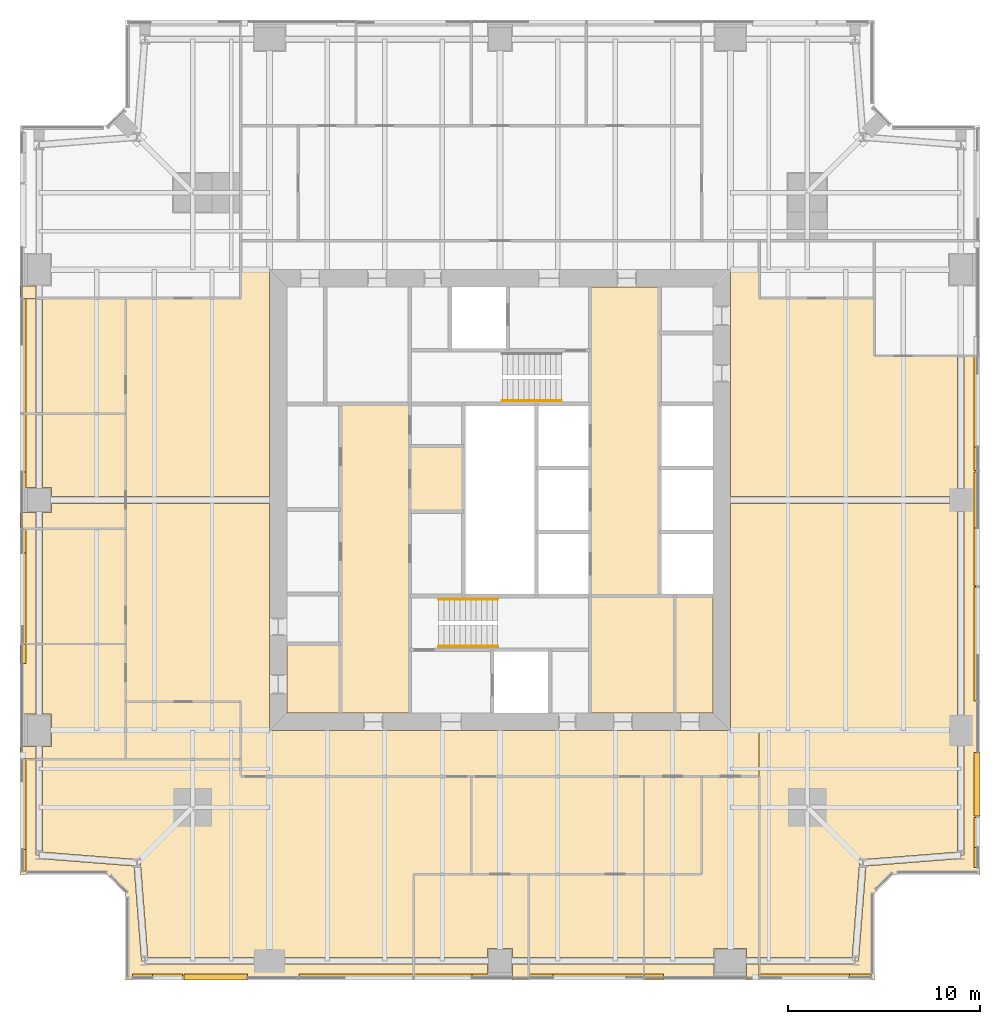
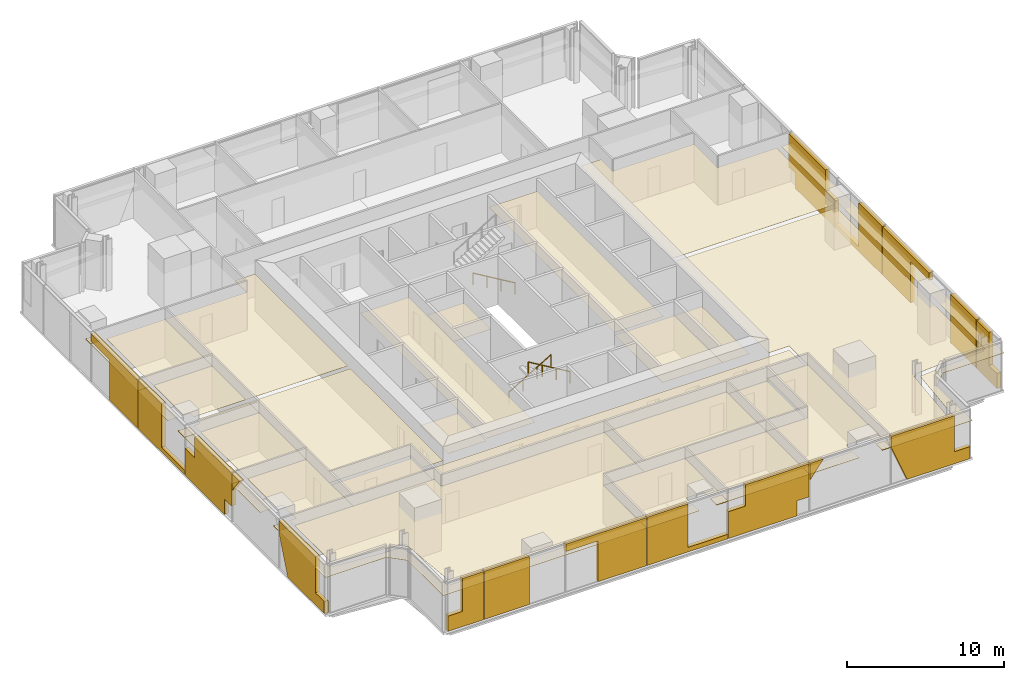
# One storey, part 13 of 14: 54 coverings, 3 railings.
"""IFC4 building model written with IfcOpenShell, lengths in metres."""

from ifc_helpers import new_model, si_unit, direction, frame, origin, origin_2d, place, context, subcontext, project, spatial, polyline, circle, outline, extrude, material, layer, layer_set, type_object, element, save


model = new_model("IFC4")

# Units and contexts
model_context = context("Model", 3, precision=1e-05, world=origin(), true_north=direction((0.0, 1.0)))
body_context = subcontext(model_context, "Body", "Model", "MODEL_VIEW")
ifc_project = project(units=[si_unit("LENGTHUNIT", "METRE"), si_unit("AREAUNIT", "SQUARE_METRE"), si_unit("VOLUMEUNIT", "CUBIC_METRE"), si_unit("PLANEANGLEUNIT", "RADIAN"), si_unit("MASSUNIT", "GRAM", prefix="KILO")], contexts=[model_context])

# Site, building, storey
site_placement = place(None, origin())
site = spatial("IfcSite", under=ifc_project, at=site_placement, CompositionType="ELEMENT")
building_placement = place(site_placement, origin())
building = spatial("IfcBuilding", under=site, at=building_placement, Name="Fenwick Lantern Interchange", CompositionType="ELEMENT")
storey_placement = place(building_placement, frame((0.0, 0.0, 189.800048828125)))
storey = spatial("IfcBuildingStorey", under=building, at=storey_placement, Name="L44", CompositionType="ELEMENT", Elevation=189.800048828125)

# Coverings
ifc_material_1 = material(Name="Mineral fibre acoustic tile on suspended grid")
ifc_layer_1 = layer(ifc_material_1, 0.02001953125)
ifc_layer_set_1 = layer_set([ifc_layer_1], Name="ACOUSTIC TILE CEILING 20")
covering_type_1 = type_object("IfcCoveringType", Name="ACOUSTIC TILE CEILING 20", PredefinedType="CEILING", material=ifc_layer_set_1)
covering_1_placement = place(storey_placement, frame((0.0, 0.0, 2.699951171875)))
element("IfcCovering", 1, at=covering_1_placement, inside=storey, type_object=covering_type_1, Name="Mail room ceiling", PredefinedType="CEILING", context=body_context, shape_type="SweptSolid", body=[
    extrude(outline(polyline([(20.300048828125, 24.39990234375), (23.10009765625, 24.39990234375), (23.10009765625, 27.800048828125), (20.300048828125, 27.800048828125), (20.300048828125, 24.39990234375)])), origin(), (0.0, 0.0, 1.0), 0.02001953125),
])
covering_2_placement = place(storey_placement, frame((0.0, 0.0, 2.89990234375)))
element("IfcCovering", 2, at=covering_2_placement, inside=storey, type_object=covering_type_1, Name="Meeting room ceiling", PredefinedType="CEILING", context=body_context, shape_type="SweptSolid", body=[
    extrude(outline(polyline([(20.5, 5.5), (20.5, 1.17236328125), (24.35009765625, 1.17236328125), (24.35009765625, 1.64990234375), (25.64990234375, 1.64990234375), (25.64990234375, 1.17236328125), (26.5, 1.17236328125), (26.5, 5.5), (20.5, 5.5)])), origin(), (0.0, 0.0, 1.0), 0.02001953125),
])
covering_3_placement = place(storey_placement, frame((0.0, 0.0, 2.89990234375)))
element("IfcCovering", 3, at=covering_3_placement, inside=storey, type_object=covering_type_1, Name="Meeting room ceiling", PredefinedType="CEILING", context=body_context, shape_type="SweptSolid", body=[
    extrude(outline(polyline([(20.5, 0.82763671875), (20.5, 0.0), (24.35009765625, 0.0), (24.35009765625, 0.82763671875), (20.5, 0.82763671875)])), origin(), (0.0, 0.0, 1.0), 0.02001953125),
])
covering_4_placement = place(storey_placement, frame((0.0, 0.0, 2.89990234375)))
element("IfcCovering", 4, at=covering_4_placement, inside=storey, type_object=covering_type_1, Name="Meeting room ceiling", PredefinedType="CEILING", context=body_context, shape_type="SweptSolid", body=[
    extrude(outline(polyline([(26.5, 0.0), (26.5, 0.82763671875), (25.64990234375, 0.82763671875), (25.64990234375, 0.0), (26.5, 0.0)])), origin(), (0.0, 0.0, 1.0), 0.02001953125),
])
covering_5_placement = place(storey_placement, frame((0.0, 0.0, 2.89990234375)))
element("IfcCovering", 5, at=covering_5_placement, inside=storey, type_object=covering_type_1, Name="Meeting room ceiling", PredefinedType="CEILING", context=body_context, shape_type="SweptSolid", body=[
    extrude(outline(polyline([(26.5, 5.5), (26.5, 1.17236328125), (32.5, 1.17236328125), (32.5, 5.5), (26.5, 5.5)])), origin(), (0.0, 0.0, 1.0), 0.02001953125),
])
covering_6_placement = place(storey_placement, frame((0.0, 0.0, 2.89990234375)))
element("IfcCovering", 6, at=covering_6_placement, inside=storey, type_object=covering_type_1, Name="Meeting room ceiling", PredefinedType="CEILING", context=body_context, shape_type="SweptSolid", body=[
    extrude(outline(polyline([(32.5, 0.0), (32.5, 0.82763671875), (26.5, 0.82763671875), (26.5, 0.0), (32.5, 0.0)])), origin(), (0.0, 0.0, 1.0), 0.02001953125),
])
covering_7_placement = place(storey_placement, frame((0.0, 0.0, 2.89990234375)))
element("IfcCovering", 7, at=covering_7_placement, inside=storey, type_object=covering_type_1, Name="Meeting room ceiling", PredefinedType="CEILING", context=body_context, shape_type="SweptSolid", body=[
    extrude(outline(polyline([(37.85009765625, 1.64990234375), (37.85009765625, 1.17236328125), (38.5, 1.17236328125), (38.5, 10.60009765625), (35.5, 10.60009765625), (35.5, 5.5), (32.5, 5.5), (32.5, 1.17236328125), (36.14990234375, 1.17236328125), (36.14990234375, 1.64990234375), (37.85009765625, 1.64990234375)])), origin(), (0.0, 0.0, 1.0), 0.02001953125),
])
covering_8_placement = place(storey_placement, frame((0.0, 0.0, 2.89990234375)))
element("IfcCovering", 8, at=covering_8_placement, inside=storey, type_object=covering_type_1, Name="Meeting room ceiling", PredefinedType="CEILING", context=body_context, shape_type="SweptSolid", body=[
    extrude(outline(polyline([(36.14990234375, 0.0), (36.14990234375, 0.82763671875), (32.5, 0.82763671875), (32.5, 0.0), (36.14990234375, 0.0)])), origin(), (0.0, 0.0, 1.0), 0.02001953125),
])
covering_9_placement = place(storey_placement, frame((0.0, 0.0, 2.89990234375)))
element("IfcCovering", 9, at=covering_9_placement, inside=storey, type_object=covering_type_1, Name="Meeting room ceiling", PredefinedType="CEILING", context=body_context, shape_type="SweptSolid", body=[
    extrude(outline(polyline([(37.85009765625, 0.82763671875), (37.85009765625, 0.0), (38.5, 0.0), (38.5, 0.82763671875), (37.85009765625, 0.82763671875)])), origin(), (0.0, 0.0, 1.0), 0.02001953125),
])
covering_10_placement = place(storey_placement, frame((0.0, 0.0, 2.89990234375)))
element("IfcCovering", 10, at=covering_10_placement, inside=storey, type_object=covering_type_1, Name="Open office ceiling", PredefinedType="CEILING", context=body_context, shape_type="SweptSolid", body=[
    extrude(outline(polyline([(38.5, 13.0), (38.5, 1.17236328125), (43.340576171875, 1.17236328125), (43.72802734375, 6.113525390625), (43.89990234375, 6.10009765625), (43.886474609375, 6.27197265625), (48.82763671875, 6.659423828125), (48.82763671875, 13.0), (48.82763671875, 24.824951171875), (37.0, 24.824951171875), (37.0, 13.0), (38.5, 13.0)])), origin(), (0.0, 0.0, 1.0), 0.02001953125),
])
covering_11_placement = place(storey_placement, frame((0.0, 0.0, 2.89990234375)))
element("IfcCovering", 11, at=covering_11_placement, inside=storey, type_object=covering_type_1, Name="Open office ceiling", PredefinedType="CEILING", context=body_context, shape_type="SweptSolid", body=[
    extrude(outline(polyline([(37.0, 37.0), (37.0, 25.175048828125), (48.82763671875, 25.175048828125), (48.82763671875, 32.5), (44.5, 32.5), (44.5, 35.5), (38.5, 35.5), (38.5, 37.0), (37.0, 37.0)])), origin(), (0.0, 0.0, 1.0), 0.02001953125),
])
covering_12_placement = place(storey_placement, frame((0.0, 0.0, 2.89990234375)))
element("IfcCovering", 12, at=covering_12_placement, inside=storey, type_object=covering_type_1, Name="Open office ceiling", PredefinedType="CEILING", context=body_context, shape_type="SweptSolid", body=[
    extrude(outline(polyline([(45.5, 5.5), (50.0, 5.5), (50.0, 32.5), (49.17236328125, 32.5), (49.17236328125, 25.0), (49.17236328125, 13.0), (49.17236328125, 6.5), (49.0, 6.5), (49.013427734375, 6.328125), (44.060302734375, 5.939697265625), (43.671875, 0.986572265625), (43.5, 1.0), (43.5, 0.82763671875), (38.5, 0.82763671875), (38.5, 0.0), (44.5, 0.0), (44.5, 4.5), (45.5, 5.5)])), origin(), (0.0, 0.0, 1.0), 0.02001953125),
])
covering_13_placement = place(storey_placement, frame((0.0, 0.0, 2.89990234375)))
element("IfcCovering", 13, at=covering_13_placement, inside=storey, type_object=covering_type_1, Name="Open office ceiling", PredefinedType="CEILING", context=body_context, shape_type="SweptSolid", body=[
    extrude(outline(polyline([(5.5, 24.824951171875), (5.5, 14.5), (11.5, 14.5), (11.5, 13.0), (13.0, 13.0), (13.0, 24.824951171875), (5.5, 24.824951171875)])), origin(), (0.0, 0.0, 1.0), 0.02001953125),
])
covering_14_placement = place(storey_placement, frame((0.0, 0.0, 2.89990234375)))
element("IfcCovering", 14, at=covering_14_placement, inside=storey, type_object=covering_type_1, Name="Open office ceiling", PredefinedType="CEILING", context=body_context, shape_type="SweptSolid", body=[
    extrude(outline(polyline([(5.5, 35.5), (5.5, 25.175048828125), (13.0, 25.175048828125), (13.0, 37.0), (11.5, 37.0), (11.5, 35.5), (5.5, 35.5)])), origin(), (0.0, 0.0, 1.0), 0.02001953125),
])
covering_15_placement = place(storey_placement, frame((0.0, 0.0, 2.89990234375)))
element("IfcCovering", 15, at=covering_15_placement, inside=storey, type_object=covering_type_1, Name="Office ceiling", PredefinedType="CEILING", context=body_context, shape_type="SweptSolid", body=[
    extrude(outline(polyline([(0.0, 35.5), (0.82763671875, 35.5), (0.82763671875, 36.14990234375), (0.0, 36.14990234375), (0.0, 35.5)])), origin(), (0.0, 0.0, 1.0), 0.02001953125),
])
covering_16_placement = place(storey_placement, frame((0.0, 0.0, 2.89990234375)))
element("IfcCovering", 16, at=covering_16_placement, inside=storey, type_object=covering_type_1, Name="Office ceiling", PredefinedType="CEILING", context=body_context, shape_type="SweptSolid", body=[
    extrude(outline(polyline([(5.5, 35.5), (1.17236328125, 35.5), (1.17236328125, 29.5), (5.5, 29.5), (5.5, 35.5)])), origin(), (0.0, 0.0, 1.0), 0.02001953125),
])
covering_17_placement = place(storey_placement, frame((0.0, 0.0, 2.89990234375)))
element("IfcCovering", 17, at=covering_17_placement, inside=storey, type_object=covering_type_1, Name="Office ceiling", PredefinedType="CEILING", context=body_context, shape_type="SweptSolid", body=[
    extrude(outline(polyline([(0.0, 29.5), (0.82763671875, 29.5), (0.82763671875, 35.5), (0.0, 35.5), (0.0, 29.5)])), origin(), (0.0, 0.0, 1.0), 0.02001953125),
])
covering_18_placement = place(storey_placement, frame((0.0, 0.0, 2.89990234375)))
element("IfcCovering", 18, at=covering_18_placement, inside=storey, type_object=covering_type_1, Name="Office ceiling", PredefinedType="CEILING", context=body_context, shape_type="SweptSolid", body=[
    extrude(outline(polyline([(5.5, 29.5), (1.17236328125, 29.5), (1.17236328125, 25.64990234375), (1.64990234375, 25.64990234375), (1.64990234375, 25.175048828125), (5.5, 25.175048828125), (5.5, 29.5)])), origin(), (0.0, 0.0, 1.0), 0.02001953125),
])
covering_19_placement = place(storey_placement, frame((0.0, 0.0, 2.89990234375)))
element("IfcCovering", 19, at=covering_19_placement, inside=storey, type_object=covering_type_1, Name="Office ceiling", PredefinedType="CEILING", context=body_context, shape_type="SweptSolid", body=[
    extrude(outline(polyline([(5.5, 23.5), (5.5, 24.824951171875), (1.64990234375, 24.824951171875), (1.64990234375, 24.35009765625), (1.17236328125, 24.35009765625), (1.17236328125, 23.5), (5.5, 23.5)])), origin(), (0.0, 0.0, 1.0), 0.02001953125),
])
covering_20_placement = place(storey_placement, frame((0.0, 0.0, 2.89990234375)))
element("IfcCovering", 20, at=covering_20_placement, inside=storey, type_object=covering_type_1, Name="Office ceiling", PredefinedType="CEILING", context=body_context, shape_type="SweptSolid", body=[
    extrude(outline(polyline([(0.82763671875, 29.5), (0.0, 29.5), (0.0, 25.64990234375), (0.82763671875, 25.64990234375), (0.82763671875, 29.5)])), origin(), (0.0, 0.0, 1.0), 0.02001953125),
])
covering_21_placement = place(storey_placement, frame((0.0, 0.0, 2.89990234375)))
element("IfcCovering", 21, at=covering_21_placement, inside=storey, type_object=covering_type_1, Name="Office ceiling", PredefinedType="CEILING", context=body_context, shape_type="SweptSolid", body=[
    extrude(outline(polyline([(0.0, 23.5), (0.82763671875, 23.5), (0.82763671875, 24.35009765625), (0.0, 24.35009765625), (0.0, 23.5)])), origin(), (0.0, 0.0, 1.0), 0.02001953125),
])
covering_22_placement = place(storey_placement, frame((0.0, 0.0, 2.89990234375)))
element("IfcCovering", 22, at=covering_22_placement, inside=storey, type_object=covering_type_1, Name="Office ceiling", PredefinedType="CEILING", context=body_context, shape_type="SweptSolid", body=[
    extrude(outline(polyline([(5.5, 23.5), (1.17236328125, 23.5), (1.17236328125, 17.5), (5.5, 17.5), (5.5, 23.5)])), origin(), (0.0, 0.0, 1.0), 0.02001953125),
])
covering_23_placement = place(storey_placement, frame((0.0, 0.0, 2.89990234375)))
element("IfcCovering", 23, at=covering_23_placement, inside=storey, type_object=covering_type_1, Name="Office ceiling", PredefinedType="CEILING", context=body_context, shape_type="SweptSolid", body=[
    extrude(outline(polyline([(0.0, 17.5), (0.82763671875, 17.5), (0.82763671875, 23.5), (0.0, 23.5), (0.0, 17.5)])), origin(), (0.0, 0.0, 1.0), 0.02001953125),
])
covering_24_placement = place(storey_placement, frame((0.0, 0.0, 2.89990234375)))
element("IfcCovering", 24, at=covering_24_placement, inside=storey, type_object=covering_type_1, Name="Office ceiling", PredefinedType="CEILING", context=body_context, shape_type="SweptSolid", body=[
    extrude(outline(polyline([(5.5, 17.5), (1.17236328125, 17.5), (1.17236328125, 13.85009765625), (1.64990234375, 13.85009765625), (1.64990234375, 12.14990234375), (1.17236328125, 12.14990234375), (1.17236328125, 11.5), (5.5, 11.5), (5.5, 17.5)])), origin(), (0.0, 0.0, 1.0), 0.02001953125),
])
covering_25_placement = place(storey_placement, frame((0.0, 0.0, 2.89990234375)))
element("IfcCovering", 25, at=covering_25_placement, inside=storey, type_object=covering_type_1, Name="Office ceiling", PredefinedType="CEILING", context=body_context, shape_type="SweptSolid", body=[
    extrude(outline(polyline([(0.82763671875, 17.5), (0.0, 17.5), (0.0, 13.85009765625), (0.82763671875, 13.85009765625), (0.82763671875, 17.5)])), origin(), (0.0, 0.0, 1.0), 0.02001953125),
])
covering_26_placement = place(storey_placement, frame((0.0, 0.0, 2.89990234375)))
element("IfcCovering", 26, at=covering_26_placement, inside=storey, type_object=covering_type_1, Name="Office ceiling", PredefinedType="CEILING", context=body_context, shape_type="SweptSolid", body=[
    extrude(outline(polyline([(0.0, 11.5), (0.82763671875, 11.5), (0.82763671875, 12.14990234375), (0.0, 12.14990234375), (0.0, 11.5)])), origin(), (0.0, 0.0, 1.0), 0.02001953125),
])
ifc_material_2 = material(Name="Granite cladding, warm grey flamed finish, on aluminium carrier frame", Category="masonry")
ifc_layer_2 = layer(ifc_material_2, 0.300048828125)
ifc_layer_set_2 = layer_set([ifc_layer_2], Name="BRACE CASING PANEL 300")
covering_type_2 = type_object("IfcCoveringType", Name="BRACE CASING PANEL 300", PredefinedType="CLADDING", material=ifc_layer_set_2)
covering_27_placement = place(storey_placement, frame((5.60009765625, 0.10009765625, 0.0), z_axis=(0.0, 0.0, 1.0), x_axis=(1.0, 0.0, 0.0)))
element("IfcCovering", 27, at=covering_27_placement, inside=storey, type_object=covering_type_2, Name="Brace casing 01 bay 00a", PredefinedType="CLADDING", context=body_context, shape_type="SweptSolid", body=[
    extrude(outline(polyline([(0.264892578125, 0.0), (2.867431640625, 0.0), (2.867431640625, 3.75), (1.31005859375, 3.75), (1.31005859375, 1.185546875), (0.264892578125, 1.185546875), (0.264892578125, 0.0)])), frame((0.0, 0.2001953125, 0.0), z_axis=(0.0, -1.0, 0.0), x_axis=(1.0, 0.0, 0.0)), (0.0, 0.0, 1.0), 0.300048828125),
])
covering_28_placement = place(storey_placement, frame((5.60009765625, 0.10009765625, 0.0), z_axis=(0.0, 0.0, 1.0), x_axis=(1.0, 0.0, 0.0)))
element("IfcCovering", 28, at=covering_28_placement, inside=storey, type_object=covering_type_2, Name="Brace casing 01 bay 01a", PredefinedType="CLADDING", context=body_context, shape_type="SweptSolid", body=[
    extrude(outline(polyline([(2.9326171875, 0.0), (6.239013671875, 0.0), (6.239013671875, 3.75), (2.9326171875, 3.75), (2.9326171875, 0.0)])), frame((0.0, 0.2001953125, 0.0), z_axis=(0.0, -1.0, 0.0), x_axis=(1.0, 0.0, 0.0)), (0.0, 0.0, 1.0), 0.300048828125),
])
covering_29_placement = place(storey_placement, frame((5.60009765625, 0.10009765625, 0.0), z_axis=(0.0, 0.0, 1.0), x_axis=(1.0, 0.0, 0.0)))
element("IfcCovering", 29, at=covering_29_placement, inside=storey, type_object=covering_type_2, Name="Brace casing 01 bay 02a", PredefinedType="CLADDING", context=body_context, shape_type="SweptSolid", body=[
    extrude(outline(polyline([(11.3125, 0.0), (14.867431640625, 0.0), (14.867431640625, 3.75), (8.9326171875, 3.75), (8.9326171875, 3.17724609375), (11.3125, 3.17724609375), (11.3125, 0.0)])), frame((0.0, 0.2001953125, 0.0), z_axis=(0.0, -1.0, 0.0), x_axis=(1.0, 0.0, 0.0)), (0.0, 0.0, 1.0), 0.300048828125),
])
covering_30_placement = place(storey_placement, frame((5.60009765625, 0.10009765625, 0.0), z_axis=(0.0, 0.0, 1.0), x_axis=(1.0, 0.0, 0.0)))
element("IfcCovering", 30, at=covering_30_placement, inside=storey, type_object=covering_type_2, Name="Brace casing 01 bay 03a", PredefinedType="CLADDING", context=body_context, shape_type="SweptSolid", body=[
    extrude(outline(polyline([(14.9326171875, 0.0), (20.867431640625, 0.0), (20.867431640625, 0.3505859375), (17.93310546875, 0.3505859375), (17.93310546875, 3.75), (14.9326171875, 3.75), (14.9326171875, 0.0)])), frame((0.0, 0.2001953125, 0.0), z_axis=(0.0, -1.0, 0.0), x_axis=(1.0, 0.0, 0.0)), (0.0, 0.0, 1.0), 0.300048828125),
])
covering_31_placement = place(storey_placement, frame((5.60009765625, 0.10009765625, 0.0), z_axis=(0.0, 0.0, 1.0), x_axis=(1.0, 0.0, 0.0)))
element("IfcCovering", 31, at=covering_31_placement, inside=storey, type_object=covering_type_2, Name="Brace casing 01 bay 04a", PredefinedType="CLADDING", context=body_context, shape_type="SweptSolid", body=[
    extrude(outline(polyline([(20.9326171875, 0.0), (25.984375, 0.0), (25.984375, 1.17333984375), (26.867431640625, 1.17333984375), (26.867431640625, 3.75), (22.172607421875, 3.75), (22.172607421875, 2.090576171875), (20.9326171875, 2.090576171875), (20.9326171875, 0.0)])), frame((0.0, 0.2001953125, 0.0), z_axis=(0.0, -1.0, 0.0), x_axis=(1.0, 0.0, 0.0)), (0.0, 0.0, 1.0), 0.300048828125),
])
covering_32_placement = place(storey_placement, frame((5.60009765625, 0.10009765625, 2.437255859375), z_axis=(0.0, 0.0, 1.0), x_axis=(1.0, 0.0, 0.0)))
element("IfcCovering", 32, at=covering_32_placement, inside=storey, type_object=covering_type_2, Name="Brace casing 01 bay 05a", PredefinedType="CLADDING", context=body_context, shape_type="SweptSolid", body=[
    extrude(outline(polyline([(26.9326171875, 0.0), (27.9169921875, 1.312744140625), (26.9326171875, 1.312744140625), (26.9326171875, 0.0)])), frame((0.0, 0.2001953125, 0.0), z_axis=(0.0, -1.0, 0.0), x_axis=(1.0, 0.0, 0.0)), (0.0, 0.0, 1.0), 0.300048828125),
])
covering_33_placement = place(storey_placement, frame((5.60009765625, 0.10009765625, 0.0), z_axis=(0.0, 0.0, 1.0), x_axis=(1.0, 0.0, 0.0)))
element("IfcCovering", 33, at=covering_33_placement, inside=storey, type_object=covering_type_2, Name="Brace casing 01 bay 06a", PredefinedType="CLADDING", context=body_context, shape_type="SweptSolid", body=[
    extrude(outline(polyline([(34.0859375, 0.0), (38.735107421875, 0.0), (38.735107421875, 0.931396484375), (37.59326171875, 0.931396484375), (37.59326171875, 3.75), (32.9326171875, 3.75), (32.9326171875, 2.839111328125), (34.0859375, 0.0)])), frame((0.0, 0.2001953125, 0.0), z_axis=(0.0, -1.0, 0.0), x_axis=(1.0, 0.0, 0.0)), (0.0, 0.0, 1.0), 0.300048828125),
])
covering_34_placement = place(storey_placement, frame((49.89990234375, 5.60009765625, 0.0), z_axis=(0.0, 0.0, 1.0), x_axis=(0.0, 1.0, 0.0)))
element("IfcCovering", 34, at=covering_34_placement, inside=storey, type_object=covering_type_2, Name="Brace casing 05 bay 00a", PredefinedType="CLADDING", context=body_context, shape_type="SweptSolid", body=[
    extrude(outline(polyline([(0.264892578125, 0.0), (2.867431640625, 0.0), (2.867431640625, 3.75), (1.31005859375, 3.75), (1.31005859375, 1.185546875), (0.264892578125, 1.185546875), (0.264892578125, 0.0)])), frame((0.0, 0.2001953125, 0.0), z_axis=(0.0, -1.0, 0.0), x_axis=(1.0, 0.0, 0.0)), (0.0, 0.0, 1.0), 0.300048828125),
])
covering_35_placement = place(storey_placement, frame((49.89990234375, 5.60009765625, 0.0), z_axis=(0.0, 0.0, 1.0), x_axis=(0.0, 1.0, 0.0)))
element("IfcCovering", 35, at=covering_35_placement, inside=storey, type_object=covering_type_2, Name="Brace casing 05 bay 01a", PredefinedType="CLADDING", context=body_context, shape_type="SweptSolid", body=[
    extrude(outline(polyline([(2.9326171875, 0.0), (6.239013671875, 0.0), (6.239013671875, 3.75), (2.9326171875, 3.75), (2.9326171875, 0.0)])), frame((0.0, 0.2001953125, 0.0), z_axis=(0.0, -1.0, 0.0), x_axis=(1.0, 0.0, 0.0)), (0.0, 0.0, 1.0), 0.300048828125),
])
covering_36_placement = place(storey_placement, frame((49.89990234375, 5.60009765625, 0.0), z_axis=(0.0, 0.0, 1.0), x_axis=(0.0, 1.0, 0.0)))
element("IfcCovering", 36, at=covering_36_placement, inside=storey, type_object=covering_type_2, Name="Brace casing 05 bay 02a", PredefinedType="CLADDING", context=body_context, shape_type="SweptSolid", body=[
    extrude(outline(polyline([(11.3125, 0.0), (14.867431640625, 0.0), (14.867431640625, 3.75), (8.9326171875, 3.75), (8.9326171875, 3.17724609375), (11.3125, 3.17724609375), (11.3125, 0.0)])), frame((0.0, 0.2001953125, 0.0), z_axis=(0.0, -1.0, 0.0), x_axis=(1.0, 0.0, 0.0)), (0.0, 0.0, 1.0), 0.300048828125),
])
covering_37_placement = place(storey_placement, frame((49.89990234375, 5.60009765625, 0.0), z_axis=(0.0, 0.0, 1.0), x_axis=(0.0, 1.0, 0.0)))
element("IfcCovering", 37, at=covering_37_placement, inside=storey, type_object=covering_type_2, Name="Brace casing 05 bay 03a", PredefinedType="CLADDING", context=body_context, shape_type="SweptSolid", body=[
    extrude(outline(polyline([(14.9326171875, 0.0), (20.867431640625, 0.0), (20.867431640625, 0.3505859375), (17.93310546875, 0.3505859375), (17.93310546875, 3.75), (14.9326171875, 3.75), (14.9326171875, 0.0)])), frame((0.0, 0.2001953125, 0.0), z_axis=(0.0, -1.0, 0.0), x_axis=(1.0, 0.0, 0.0)), (0.0, 0.0, 1.0), 0.300048828125),
])
covering_38_placement = place(storey_placement, frame((49.89990234375, 5.60009765625, 0.0), z_axis=(0.0, 0.0, 1.0), x_axis=(0.0, 1.0, 0.0)))
element("IfcCovering", 38, at=covering_38_placement, inside=storey, type_object=covering_type_2, Name="Brace casing 05 bay 04a", PredefinedType="CLADDING", context=body_context, shape_type="SweptSolid", body=[
    extrude(outline(polyline([(20.9326171875, 0.0), (25.984375, 0.0), (25.984375, 1.17333984375), (26.867431640625, 1.17333984375), (26.867431640625, 3.75), (22.172607421875, 3.75), (22.172607421875, 2.090576171875), (20.9326171875, 2.090576171875), (20.9326171875, 0.0)])), frame((0.0, 0.2001953125, 0.0), z_axis=(0.0, -1.0, 0.0), x_axis=(1.0, 0.0, 0.0)), (0.0, 0.0, 1.0), 0.300048828125),
])
covering_39_placement = place(storey_placement, frame((0.10009765625, 44.39990234375, 0.0), z_axis=(0.0, 0.0, 1.0), x_axis=(0.0, -1.0, 0.0)))
element("IfcCovering", 39, at=covering_39_placement, inside=storey, type_object=covering_type_2, Name="Brace casing 13 bay 02a", PredefinedType="CLADDING", context=body_context, shape_type="SweptSolid", body=[
    extrude(outline(polyline([(11.3125, 0.0), (14.867431640625, 0.0), (14.867431640625, 3.75), (8.9326171875, 3.75), (8.9326171875, 3.17724609375), (11.3125, 3.17724609375), (11.3125, 0.0)])), frame((0.0, 0.2001953125, 0.0), z_axis=(0.0, -1.0, 0.0), x_axis=(1.0, 0.0, 0.0)), (0.0, 0.0, 1.0), 0.300048828125),
])
covering_40_placement = place(storey_placement, frame((0.10009765625, 44.39990234375, 0.0), z_axis=(0.0, 0.0, 1.0), x_axis=(0.0, -1.0, 0.0)))
element("IfcCovering", 40, at=covering_40_placement, inside=storey, type_object=covering_type_2, Name="Brace casing 13 bay 03a", PredefinedType="CLADDING", context=body_context, shape_type="SweptSolid", body=[
    extrude(outline(polyline([(14.9326171875, 0.0), (20.867431640625, 0.0), (20.867431640625, 0.3505859375), (17.93310546875, 0.3505859375), (17.93310546875, 3.75), (14.9326171875, 3.75), (14.9326171875, 0.0)])), frame((0.0, 0.2001953125, 0.0), z_axis=(0.0, -1.0, 0.0), x_axis=(1.0, 0.0, 0.0)), (0.0, 0.0, 1.0), 0.300048828125),
])
covering_41_placement = place(storey_placement, frame((0.10009765625, 44.39990234375, 0.0), z_axis=(0.0, 0.0, 1.0), x_axis=(0.0, -1.0, 0.0)))
element("IfcCovering", 41, at=covering_41_placement, inside=storey, type_object=covering_type_2, Name="Brace casing 13 bay 04a", PredefinedType="CLADDING", context=body_context, shape_type="SweptSolid", body=[
    extrude(outline(polyline([(20.9326171875, 0.0), (25.984375, 0.0), (25.984375, 1.17333984375), (26.867431640625, 1.17333984375), (26.867431640625, 3.75), (22.172607421875, 3.75), (22.172607421875, 2.090576171875), (20.9326171875, 2.090576171875), (20.9326171875, 0.0)])), frame((0.0, 0.2001953125, 0.0), z_axis=(0.0, -1.0, 0.0), x_axis=(1.0, 0.0, 0.0)), (0.0, 0.0, 1.0), 0.300048828125),
])
covering_42_placement = place(storey_placement, frame((0.10009765625, 44.39990234375, 2.437255859375), z_axis=(0.0, 0.0, 1.0), x_axis=(0.0, -1.0, 0.0)))
element("IfcCovering", 42, at=covering_42_placement, inside=storey, type_object=covering_type_2, Name="Brace casing 13 bay 05a", PredefinedType="CLADDING", context=body_context, shape_type="SweptSolid", body=[
    extrude(outline(polyline([(26.9326171875, 0.0), (27.9169921875, 1.312744140625), (26.9326171875, 1.312744140625), (26.9326171875, 0.0)])), frame((0.0, 0.2001953125, 0.0), z_axis=(0.0, -1.0, 0.0), x_axis=(1.0, 0.0, 0.0)), (0.0, 0.0, 1.0), 0.300048828125),
])
covering_43_placement = place(storey_placement, frame((0.10009765625, 44.39990234375, 0.0), z_axis=(0.0, 0.0, 1.0), x_axis=(0.0, -1.0, 0.0)))
element("IfcCovering", 43, at=covering_43_placement, inside=storey, type_object=covering_type_2, Name="Brace casing 13 bay 06a", PredefinedType="CLADDING", context=body_context, shape_type="SweptSolid", body=[
    extrude(outline(polyline([(34.0859375, 0.0), (38.735107421875, 0.0), (38.735107421875, 0.931396484375), (37.59326171875, 0.931396484375), (37.59326171875, 3.75), (32.9326171875, 3.75), (32.9326171875, 2.839111328125), (34.0859375, 0.0)])), frame((0.0, 0.2001953125, 0.0), z_axis=(0.0, -1.0, 0.0), x_axis=(1.0, 0.0, 0.0)), (0.0, 0.0, 1.0), 0.300048828125),
])

# Railings
ifc_material_3 = material(Name="Stainless steel handrail", Category="steel")
railing_type = type_object("IfcRailingType", Name="HANDRAIL 900", PredefinedType="HANDRAIL", material=ifc_material_3)
railing_placement = place(storey_placement, frame((21.800048828125, 19.825927734375, 0.16650390625)))
element("IfcRailing", 44, at=railing_placement, inside=storey, type_object=railing_type, Name="L44/STAIR/ST1/HR1", PredefinedType="HANDRAIL", context=body_context, shape_type="SweptSolid", body=[
    extrude(circle(Radius=0.02392578125, at=origin_2d()), frame((0.0, 0.0, 0.8759765625), z_axis=(0.859260807169, 0.0, 0.511537745687), x_axis=(0.0, 1.0, 0.0)), (0.0, 0.0, 1.0), 3.584228515625),
    extrude(circle(Radius=0.02099609375, at=origin_2d()), origin(), (0.0, 0.0, 1.0), 0.851806640625),
    extrude(circle(Radius=0.02099609375, at=origin_2d()), frame((1.026611328125, 0.0, 0.611083984375)), (0.0, 0.0, 1.0), 0.851806640625),
    extrude(circle(Radius=0.02099609375, at=origin_2d()), frame((2.05322265625, 0.0, 1.222412109375)), (0.0, 0.0, 1.0), 0.851806640625),
    extrude(circle(Radius=0.02099609375, at=origin_2d()), frame((3.079833984375, 0.0, 1.83349609375)), (0.0, 0.0, 1.0), 0.851806640625),
])
for number, where, name in (
    (45, (24.8798828125, 17.3740234375, 2.16650390625), "L44/STAIR/ST1/HR2"),
    (46, (28.199951171875, 30.174072265625, 0.16650390625), "L44/STAIR/ST2/HR1"),
):
    element("IfcRailing", number, at=place(storey_placement, frame(where)), inside=storey, type_object=railing_type, Name=name, PredefinedType="HANDRAIL", context=body_context, shape_type="SweptSolid", body=[
        extrude(circle(Radius=0.02392578125, at=origin_2d()), frame((0.0, 0.0, 0.8759765625), z_axis=(-0.859260807169, 0.0, 0.511537745687), x_axis=(0.0, -1.0, 0.0)), (0.0, 0.0, 1.0), 3.584228515625),
        extrude(circle(Radius=0.02099609375, at=origin_2d()), origin(), (0.0, 0.0, 1.0), 0.851806640625),
        extrude(circle(Radius=0.02099609375, at=origin_2d()), frame((-1.026611328125, 0.0, 0.611083984375)), (0.0, 0.0, 1.0), 0.851806640625),
        extrude(circle(Radius=0.02099609375, at=origin_2d()), frame((-2.05322265625, 0.0, 1.222412109375)), (0.0, 0.0, 1.0), 0.851806640625),
        extrude(circle(Radius=0.02099609375, at=origin_2d()), frame((-3.079833984375, 0.0, 1.83349609375)), (0.0, 0.0, 1.0), 0.851806640625),
    ])

# Coverings
ifc_material_4 = material(Name="Moisture resistant gypsum board on suspended frame, painted")
ifc_layer_3 = layer(ifc_material_4, 0.014892578125)
ifc_layer_set_3 = layer_set([ifc_layer_3], Name="MOISTURE RESISTANT CEILING 15")
covering_type_3 = type_object("IfcCoveringType", Name="MOISTURE RESISTANT CEILING 15", PredefinedType="CEILING", material=ifc_layer_set_3)
covering_44_placement = place(storey_placement, frame((0.0, 0.0, 2.599853515625)))
element("IfcCovering", 47, at=covering_44_placement, inside=storey, type_object=covering_type_3, Name="Women's WC ceiling", PredefinedType="CEILING", context=body_context, shape_type="SweptSolid", body=[
    extrude(outline(polyline([(29.699951171875, 13.89990234375), (34.10009765625, 13.89990234375), (34.10009765625, 20.0), (29.699951171875, 20.0), (29.699951171875, 13.89990234375)])), origin(), (0.0, 0.0, 1.0), 0.01513671875),
])
covering_45_placement = place(storey_placement, frame((0.0, 0.0, 2.599853515625)))
element("IfcCovering", 48, at=covering_45_placement, inside=storey, type_object=covering_type_3, Name="Men's WC ceiling", PredefinedType="CEILING", context=body_context, shape_type="SweptSolid", body=[
    extrude(outline(polyline([(34.10009765625, 13.89990234375), (36.10009765625, 13.89990234375), (36.10009765625, 20.0), (34.10009765625, 20.0), (34.10009765625, 13.89990234375)])), origin(), (0.0, 0.0, 1.0), 0.01513671875),
])
covering_46_placement = place(storey_placement, frame((0.0, 0.0, 2.599853515625)))
element("IfcCovering", 49, at=covering_46_placement, inside=storey, type_object=covering_type_3, Name="Accessible WC and shower ceiling", PredefinedType="CEILING", context=body_context, shape_type="SweptSolid", body=[
    extrude(outline(polyline([(13.89990234375, 13.89990234375), (16.699951171875, 13.89990234375), (16.699951171875, 17.5), (13.89990234375, 17.5), (13.89990234375, 13.89990234375)])), origin(), (0.0, 0.0, 1.0), 0.01513671875),
])
covering_47_placement = place(storey_placement, frame((0.0, 0.0, 2.699951171875)))
element("IfcCovering", 50, at=covering_47_placement, inside=storey, type_object=covering_type_3, Name="Pantry ceiling", PredefinedType="CEILING", context=body_context, shape_type="SweptSolid", body=[
    extrude(outline(polyline([(32.5, 5.5), (35.5, 5.5), (35.5, 10.60009765625), (32.5, 10.60009765625), (32.5, 5.5)])), origin(), (0.0, 0.0, 1.0), 0.014892578125),
])
covering_48_placement = place(storey_placement, frame((0.0, 0.0, 2.699951171875)))
element("IfcCovering", 51, at=covering_48_placement, inside=storey, type_object=covering_type_3, Name="Pantry ceiling", PredefinedType="CEILING", context=body_context, shape_type="SweptSolid", body=[
    extrude(outline(polyline([(5.5, 14.5), (5.5, 11.5), (11.5, 11.5), (11.5, 14.5), (5.5, 14.5)])), origin(), (0.0, 0.0, 1.0), 0.014892578125),
])
ifc_material_5 = material(Name="Gypsum plasterboard on suspended frame, painted")
ifc_layer_4 = layer(ifc_material_5, 0.014892578125)
ifc_layer_set_4 = layer_set([ifc_layer_4], Name="PLASTERBOARD CEILING 15")
covering_type_4 = type_object("IfcCoveringType", Name="PLASTERBOARD CEILING 15", PredefinedType="CEILING", material=ifc_layer_set_4)
covering_49_placement = place(storey_placement, frame((0.0, 0.0, 2.800048828125)))
element("IfcCovering", 52, at=covering_49_placement, inside=storey, type_object=covering_type_4, Name="Lift lobby ceiling", PredefinedType="CEILING", context=body_context, shape_type="SweptSolid", body=[
    extrude(outline(polyline([(16.699951171875, 13.89990234375), (20.300048828125, 13.89990234375), (20.300048828125, 30.0), (16.699951171875, 30.0), (16.699951171875, 13.89990234375)])), origin(), (0.0, 0.0, 1.0), 0.014892578125),
])
covering_50_placement = place(storey_placement, frame((0.0, 0.0, 2.800048828125)))
element("IfcCovering", 53, at=covering_50_placement, inside=storey, type_object=covering_type_4, Name="Lift lobby ceiling", PredefinedType="CEILING", context=body_context, shape_type="SweptSolid", body=[
    extrude(outline(polyline([(33.300048828125, 36.10009765625), (29.699951171875, 36.10009765625), (29.699951171875, 20.0), (33.300048828125, 20.0), (33.300048828125, 36.10009765625)])), origin(), (0.0, 0.0, 1.0), 0.014892578125),
])
covering_51_placement = place(storey_placement, frame((0.0, 0.0, 2.599853515625)))
element("IfcCovering", 54, at=covering_51_placement, inside=storey, type_object=covering_type_4, Name="Corridor ceiling", PredefinedType="CEILING", context=body_context, shape_type="SweptSolid", body=[
    extrude(outline(polyline([(11.5, 10.60009765625), (38.5, 10.60009765625), (38.5, 13.0), (11.5, 13.0), (11.5, 10.60009765625)])), origin(), (0.0, 0.0, 1.0), 0.01513671875),
])
covering_52_placement = place(storey_placement, frame((0.0, 0.0, 2.89990234375)))
element("IfcCovering", 55, at=covering_52_placement, inside=storey, type_object=covering_type_4, Name="Reception ceiling", PredefinedType="CEILING", context=body_context, shape_type="SweptSolid", body=[
    extrude(outline(polyline([(23.5, 5.5), (32.5, 5.5), (32.5, 10.60009765625), (23.5, 10.60009765625), (23.5, 5.5)])), origin(), (0.0, 0.0, 1.0), 0.01513671875),
])
covering_53_placement = place(storey_placement, frame((0.0, 0.0, 2.89990234375)))
element("IfcCovering", 56, at=covering_53_placement, inside=storey, type_object=covering_type_4, Name="Client lounge ceiling", PredefinedType="CEILING", context=body_context, shape_type="SweptSolid", body=[
    extrude(outline(polyline([(11.5, 11.5), (1.17236328125, 11.5), (1.17236328125, 6.659423828125), (6.113525390625, 6.27197265625), (6.10009765625, 6.10009765625), (6.27197265625, 6.113525390625), (6.659423828125, 1.17236328125), (13.0, 1.17236328125), (20.5, 1.17236328125), (20.5, 5.5), (23.5, 5.5), (23.5, 10.60009765625), (11.5, 10.60009765625), (11.5, 11.5)])), origin(), (0.0, 0.0, 1.0), 0.01513671875),
])
covering_54_placement = place(storey_placement, frame((0.0, 0.0, 2.89990234375)))
element("IfcCovering", 57, at=covering_54_placement, inside=storey, type_object=covering_type_4, Name="Client lounge ceiling", PredefinedType="CEILING", context=body_context, shape_type="SweptSolid", body=[
    extrude(outline(polyline([(5.5, 0.0), (20.5, 0.0), (20.5, 0.82763671875), (13.0, 0.82763671875), (6.5, 0.82763671875), (6.5, 1.0), (6.328125, 0.986572265625), (5.939697265625, 5.939697265625), (0.986572265625, 6.328125), (1.0, 6.5), (0.82763671875, 6.5), (0.82763671875, 11.5), (0.0, 11.5), (0.0, 5.5), (4.5, 5.5), (5.5, 4.5), (5.5, 0.0)])), origin(), (0.0, 0.0, 1.0), 0.01513671875),
])

save(model, "model.ifc")
